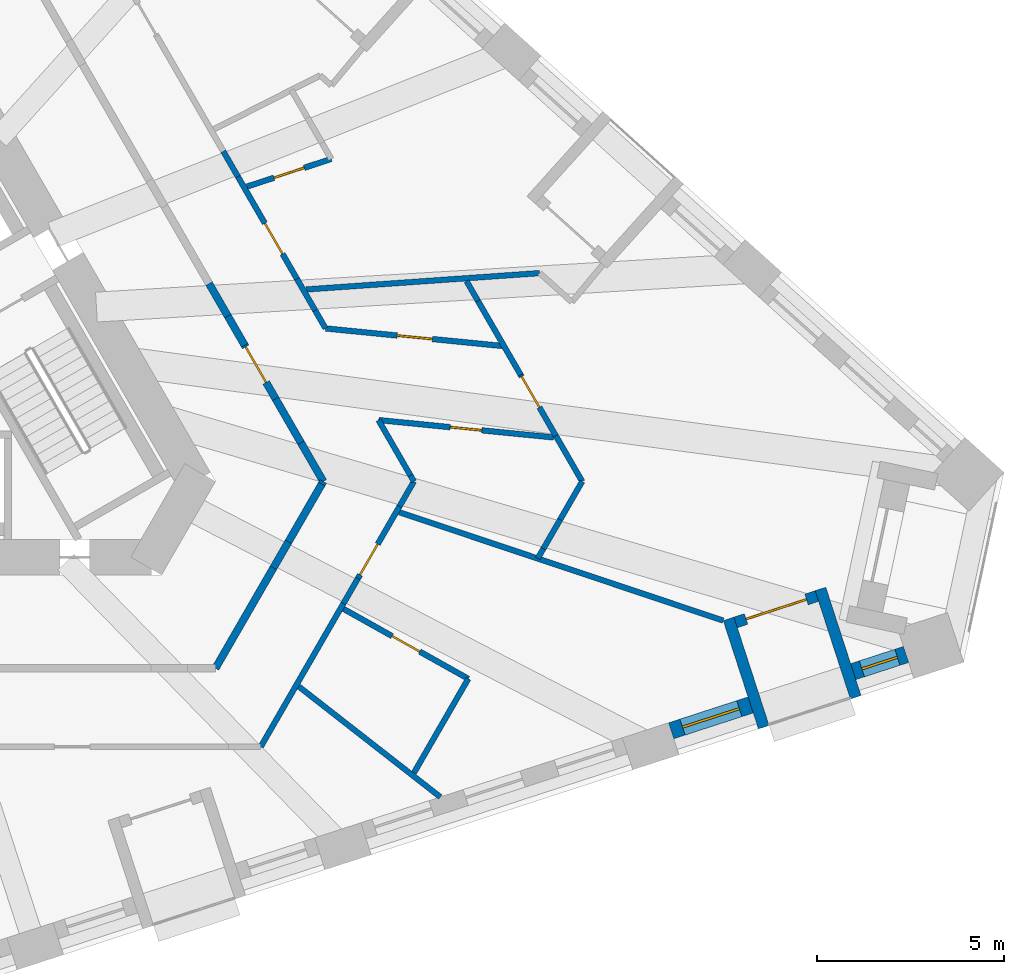
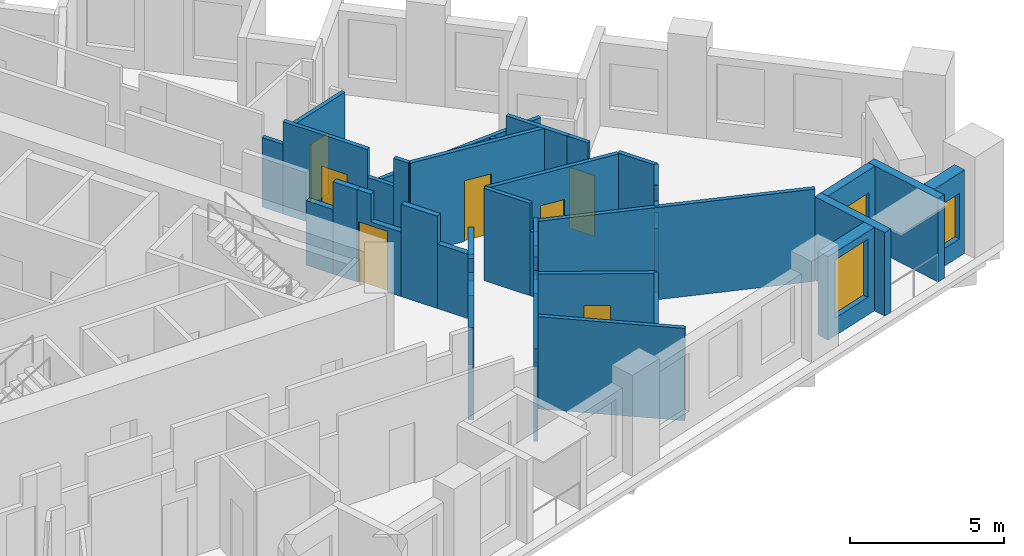
# One storey, part 6 of 13: 39 walls, 9 doors, 2 windows, 11 openings.
"""IFC4 building model written with IfcOpenShell, lengths in metres."""

from ifc_helpers import new_model, si_unit, direction, frame, frame_2d, origin, place, context, subcontext, project, spatial, polyline, rectangle, outline, extrude, material, layer, layer_set, type_object, element, fill, save


model = new_model("IFC4")

# Units and contexts
model_context = context("Model", 3, precision=1e-05, world=origin(), true_north=direction((0.0, 1.0)))
body_context = subcontext(model_context, "Body", "Model", "MODEL_VIEW")
ifc_project = project(units=[si_unit("LENGTHUNIT", "METRE"), si_unit("AREAUNIT", "SQUARE_METRE"), si_unit("VOLUMEUNIT", "CUBIC_METRE"), si_unit("PLANEANGLEUNIT", "RADIAN"), si_unit("MASSUNIT", "GRAM", prefix="KILO")], contexts=[model_context])

# Site, building, storey
site_placement = place(None, origin())
site = spatial("IfcSite", under=ifc_project, at=site_placement, CompositionType="ELEMENT")
building_placement = place(site_placement, origin())
building = spatial("IfcBuilding", under=site, at=building_placement, Name="Tramontana Tower", CompositionType="ELEMENT")
storey_placement = place(building_placement, frame((0.0, 0.0, 100.39990234375)))
storey = spatial("IfcBuildingStorey", under=building, at=storey_placement, Name="L22", CompositionType="ELEMENT", Elevation=100.39990234375)

# Walls
ifc_material_1 = material(Name="Blockwork", Category="masonry")
ifc_layer_1 = layer(ifc_material_1, 0.199951171875)
ifc_layer_set_1 = layer_set([ifc_layer_1], Name="ENTRY WALL 200")
wall_type_1 = type_object("IfcWallType", Name="ENTRY WALL 200", PredefinedType="SOLIDWALL", material=ifc_layer_set_1)
wall_1_placement = place(storey_placement, frame((10.077392578125, 1.04541015625, 0.0), z_axis=(0.0, 0.0, 1.0), x_axis=(0.500051323872, -0.865995769906, 0.0)))
element("IfcWall", 1, at=wall_1_placement, inside=storey, type_object=wall_type_1, Name="Wall v21-ew0-7", PredefinedType="SOLIDWALL", context=body_context, shape_type="SweptSolid", body=[
    extrude(rectangle(XDim=1.0068359375, YDim=0.199951171875, at=frame_2d((0.50341796875, 0.0))), origin(), (0.0, 0.0, 1.0), 2.550048828125),
])
wall_2_placement = place(storey_placement, frame((10.580810546875, 0.173583984375, 0.0), z_axis=(0.0, 0.0, 1.0), x_axis=(0.499902469156, -0.866081705922, 0.0)))
element("IfcWall", 2, at=wall_2_placement, inside=storey, type_object=wall_type_1, Name="Wall v21-ew0-8", PredefinedType="SOLIDWALL", context=body_context, shape_type="SweptSolid", body=[
    extrude(rectangle(XDim=0.900146484375, YDim=0.199951171875, at=frame_2d((0.4501953125, 0.0))), origin(), (0.0, 0.0, 1.0), 3.650146484375),
])

# Wall, opening, door
wall_3_placement = place(storey_placement, frame((11.03076171875, -0.60595703125, 0.0), z_axis=(0.0, 0.0, 1.0), x_axis=(0.49997779057, -0.866038226025, 0.0)))
wall_3 = element("IfcWall", 3, at=wall_3_placement, inside=storey, type_object=wall_type_1, Name="Wall v21-ew0-9", PredefinedType="SOLIDWALL", context=body_context, shape_type="SweptSolid", body=[
    extrude(outline(polyline([(0.0, 0.0), (1.6552734375, 0.0), (1.655517578125, 2.550048828125), (0.519287109375, 2.550048828125), (0.519287109375, 3.650146484375), (0.0, 3.650146484375), (0.0, 0.0)])), frame((0.0, 0.10009765625, 0.0), z_axis=(0.0, -1.0, 0.0), x_axis=(1.0, 0.0, 0.0)), (0.0, 0.0, 1.0), 0.199951171875),
])
opening_1_placement = place(wall_3_placement, frame((0.050048828125, 0.0, 0.0)))
opening_1 = element("IfcOpeningElement", 4, at=opening_1_placement, cuts=wall_3, Name="Opening B2B-28", PredefinedType="OPENING", context=body_context, shape_type="SweptSolid", body=[
    extrude(rectangle(XDim=1.10009765625, YDim=2.39990234375, at=frame_2d((0.550048828125, 1.199951171875))), frame((0.0, 0.10986328125, 0.0), z_axis=(0.0, -1.0, 0.0), x_axis=(1.0, 0.0, 0.0)), (0.0, 0.0, 1.0), 0.219970703125),
])
ifc_material_2 = material(Name="Painted timber", Category="wood")
door_type_1 = type_object("IfcDoorType", Name="DOOR ENTRY 1100", OperationType="SINGLE_SWING_LEFT", PredefinedType="DOOR", material=ifc_material_2)
door_1_placement = place(opening_1_placement, origin())
door_1 = element("IfcDoor", 5, at=door_1_placement, inside=storey, type_object=door_type_1, Name="Door B2B-28", OperationType="SINGLE_SWING_RIGHT", OverallHeight=2.39990234375, OverallWidth=1.10009765625, PredefinedType="DOOR", context=body_context, shape_type="SweptSolid", body=[
    extrude(rectangle(XDim=1.10009765625, YDim=2.39990234375, at=frame_2d((0.550048828125, 1.199951171875))), frame((0.0, 0.02490234375, 0.0), z_axis=(0.0, -1.0, 0.0), x_axis=(1.0, 0.0, 0.0)), (0.0, 0.0, 1.0), 0.050048828125),
])
fill(opening_1, door_1)

# Walls
wall_4_placement = place(storey_placement, frame((11.8583984375, -2.03955078125, 0.0), z_axis=(0.0, 0.0, 1.0), x_axis=(0.500038357328, -0.866003257038, 0.0)))
element("IfcWall", 6, at=wall_4_placement, inside=storey, type_object=wall_type_1, Name="Wall v21-ew0-10", PredefinedType="SOLIDWALL", context=body_context, shape_type="SweptSolid", body=[
    extrude(rectangle(XDim=1.3603515625, YDim=0.199951171875, at=frame_2d((0.68017578125, 0.0))), origin(), (0.0, 0.0, 1.0), 3.650146484375),
])
wall_5_placement = place(storey_placement, frame((12.53857421875, -3.217529296875, 0.0), z_axis=(0.0, 0.0, 1.0), x_axis=(0.500059236744, -0.865991200733, 0.0)))
element("IfcWall", 7, at=wall_5_placement, inside=storey, type_object=wall_type_1, Name="Wall v21-ew0-11", PredefinedType="SOLIDWALL", context=body_context, shape_type="SweptSolid", body=[
    extrude(rectangle(XDim=1.192138671875, YDim=0.199951171875, at=frame_2d((0.59619140625, 0.0))), origin(), (0.0, 0.0, 1.0), 2.550048828125),
])
wall_6_placement = place(storey_placement, frame((13.134765625, -4.25, 0.0), z_axis=(0.0, 0.0, 1.0), x_axis=(-0.501397775159, -0.865216892499, 0.0)))
element("IfcWall", 8, at=wall_6_placement, inside=storey, type_object=wall_type_1, Name="Wall v21-ew1-0", PredefinedType="SOLIDWALL", context=body_context, shape_type="SweptSolid", body=[
    extrude(rectangle(XDim=0.079833984375, YDim=0.199951171875, at=frame_2d((0.0400390625, 0.0))), origin(), (0.0, 0.0, 1.0), 2.550048828125),
])
wall_7_placement = place(storey_placement, frame((13.0947265625, -4.319091796875, 0.0), z_axis=(0.0, 0.0, 1.0), x_axis=(-0.499986405537, -0.866033252409, 0.0)))
element("IfcWall", 9, at=wall_7_placement, inside=storey, type_object=wall_type_1, Name="Wall v21-ew1-1", PredefinedType="SOLIDWALL", context=body_context, shape_type="SweptSolid", body=[
    extrude(rectangle(XDim=1.7880859375, YDim=0.199951171875, at=frame_2d((0.89404296875, 0.0))), origin(), (0.0, 0.0, 1.0), 3.650146484375),
])
wall_8_placement = place(storey_placement, frame((12.20068359375, -5.86767578125, 0.0), z_axis=(0.0, 0.0, 1.0), x_axis=(-0.499942357345, -0.866058681229, 0.0)))
element("IfcWall", 10, at=wall_8_placement, inside=storey, type_object=wall_type_1, Name="Wall v21-ew1-2", PredefinedType="SOLIDWALL", context=body_context, shape_type="SweptSolid", body=[
    extrude(rectangle(XDim=0.80078125, YDim=0.199951171875, at=frame_2d((0.400390625, 0.0))), origin(), (0.0, 0.0, 1.0), 2.75),
])
wall_9_placement = place(storey_placement, frame((11.80029296875, -6.561279296875, 0.0), z_axis=(0.0, 0.0, 1.0), x_axis=(-0.499978855264, -0.866037611359, 0.0)))
element("IfcWall", 11, at=wall_9_placement, inside=storey, type_object=wall_type_1, Name="Wall v21-ew1-3", PredefinedType="SOLIDWALL", context=body_context, shape_type="SweptSolid", body=[
    extrude(rectangle(XDim=3.104736328125, YDim=0.199951171875, at=frame_2d((1.55224609375, 0.0))), origin(), (0.0, 0.0, 1.0), 3.650146484375),
])

# Wall, opening, window
ifc_material_3 = material(Name="Precast concrete 60 MPa", Category="concrete")
ifc_layer_2 = layer(ifc_material_3, 0.449951171875)
ifc_layer_set_2 = layer_set([ifc_layer_2], Name="Precast concrete 60 MPa, 450 mm")
wall_type_2 = type_object("IfcWallType", Name="EW1 Stone-faced precast wall 450", PredefinedType="SOLIDWALL", material=ifc_layer_set_2)
wall_10_placement = place(storey_placement, frame((22.444580078125, -10.923828125, 0.0), z_axis=(0.0, 0.0, 1.0), x_axis=(0.951067749801, 0.30898241906, 0.0)))
wall_10 = element("IfcWall", 12, at=wall_10_placement, inside=storey, type_object=wall_type_2, Name="External wall L22 face 1 bay 6", PredefinedType="SOLIDWALL", context=body_context, shape_type="SweptSolid", body=[
    extrude(rectangle(XDim=2.23681640625, YDim=0.449951171875, at=frame_2d((1.118408203125, 0.0))), origin(), (0.0, 0.0, 1.0), 3.300048828125),
])
opening_2_placement = place(wall_10_placement, frame((0.318359375, 0.0, 0.699951171875)))
opening_2 = element("IfcOpeningElement", 13, at=opening_2_placement, cuts=wall_10, Name="Opening M1", PredefinedType="OPENING", context=body_context, shape_type="SweptSolid", body=[
    extrude(rectangle(XDim=1.60009765625, YDim=2.300048828125, at=frame_2d((0.800048828125, 1.14990234375))), frame((0.0, 0.23486328125, 0.0), z_axis=(0.0, -1.0, 0.0), x_axis=(1.0, 0.0, 0.0)), (0.0, 0.0, 1.0), 0.469970703125),
])
ifc_material_4 = material(Name="Aluminum frame, double glazing unit", Category="aluminium")
window_type_1 = type_object("IfcWindowType", Name="M1 Window 1.6 x 2.3", PartitioningType="SINGLE_PANEL", PredefinedType="WINDOW", material=ifc_material_4)
window_1_placement = place(opening_2_placement, origin())
window_1 = element("IfcWindow", 14, at=window_1_placement, inside=storey, type_object=window_type_1, Name="Window M1 L22 face 1 module 16", OverallHeight=2.300048828125, OverallWidth=1.60009765625, PartitioningType="SINGLE_PANEL", PredefinedType="WINDOW", context=body_context, shape_type="SweptSolid", body=[
    extrude(rectangle(XDim=1.60009765625, YDim=2.300048828125, at=frame_2d((0.800048828125, 1.14990234375))), frame((0.0, 0.030029296875, 0.0), z_axis=(0.0, -1.0, 0.0), x_axis=(1.0, 0.0, 0.0)), (0.0, 0.0, 1.0), 0.06005859375),
])
fill(opening_2, window_1)

wall_11_placement = place(storey_placement, frame((27.3173828125, -9.340576171875, 0.0), z_axis=(0.0, 0.0, 1.0), x_axis=(0.951053373744, 0.309026665985, 0.0)))
wall_11 = element("IfcWall", 15, at=wall_11_placement, inside=storey, type_object=wall_type_2, Name="External wall L22 face 1 bay 6", PredefinedType="SOLIDWALL", context=body_context, shape_type="SweptSolid", body=[
    extrude(rectangle(XDim=1.48681640625, YDim=0.449951171875, at=frame_2d((0.743408203125, 0.0))), origin(), (0.0, 0.0, 1.0), 3.300048828125),
])
opening_3_placement = place(wall_11_placement, frame((0.243408203125, 0.0, 0.699951171875)))
opening_3 = element("IfcOpeningElement", 16, at=opening_3_placement, cuts=wall_11, Name="Opening N1L", PredefinedType="OPENING", context=body_context, shape_type="SweptSolid", body=[
    extrude(rectangle(XDim=1.0, YDim=1.800048828125, at=frame_2d((0.5, 0.89990234375))), frame((0.0, 0.23486328125, 0.0), z_axis=(0.0, -1.0, 0.0), x_axis=(1.0, 0.0, 0.0)), (0.0, 0.0, 1.0), 0.469970703125),
])
ifc_material_5 = material(Name="Aluminum frame, double glazing unit", Category="aluminium")
window_type_2 = type_object("IfcWindowType", Name="N1L Window 1 x 1.8", PartitioningType="SINGLE_PANEL", PredefinedType="WINDOW", material=ifc_material_5)
window_2_placement = place(opening_3_placement, origin())
window_2 = element("IfcWindow", 17, at=window_2_placement, inside=storey, type_object=window_type_2, Name="Window N1L L22 face 1 module 18", OverallHeight=1.800048828125, OverallWidth=1.0, PartitioningType="SINGLE_PANEL", PredefinedType="WINDOW", context=body_context, shape_type="SweptSolid", body=[
    extrude(rectangle(XDim=1.0, YDim=1.800048828125, at=frame_2d((0.5, 0.89990234375))), frame((0.0, 0.030029296875, 0.0), z_axis=(0.0, -1.0, 0.0), x_axis=(1.0, 0.0, 0.0)), (0.0, 0.0, 1.0), 0.06005859375),
])
fill(opening_3, window_2)

# Wall, opening, door
ifc_material_6 = material(Name="Precast concrete 60 MPa", Category="concrete")
ifc_layer_3 = layer(ifc_material_6, 0.300048828125)
ifc_layer_set_3 = layer_set([ifc_layer_3], Name="LW1 Stone-faced loggia wall 300")
wall_type_3 = type_object("IfcWallType", Name="LW1 Stone-faced loggia wall 300", PredefinedType="SOLIDWALL", material=ifc_layer_set_3)
wall_12_placement = place(storey_placement, frame((24.169677734375, -8.02392578125, 0.0), z_axis=(0.0, 0.0, 1.0), x_axis=(0.95103720697, 0.309076416051, 0.0)))
wall_12 = element("IfcWall", 18, at=wall_12_placement, inside=storey, type_object=wall_type_3, Name="Loggia wall L22 G2S1.16", PredefinedType="SOLIDWALL", context=body_context, shape_type="SweptSolid", body=[
    extrude(rectangle(XDim=2.286865234375, YDim=0.300048828125, at=frame_2d((1.1435546875, 0.0))), origin(), (0.0, 0.0, 1.0), 3.300048828125),
])
opening_4_placement = place(wall_12_placement, frame((0.29345703125, 0.0, 0.0)))
opening_4 = element("IfcOpeningElement", 19, at=opening_4_placement, cuts=wall_12, Name="Opening BD-2S1-16", PredefinedType="OPENING", context=body_context, shape_type="SweptSolid", body=[
    extrude(rectangle(XDim=1.699951171875, YDim=2.39990234375, at=frame_2d((0.85009765625, 1.199951171875))), frame((0.0, 0.159912109375, 0.0), z_axis=(0.0, -1.0, 0.0), x_axis=(1.0, 0.0, 0.0)), (0.0, 0.0, 1.0), 0.320068359375),
])
ifc_material_7 = material(Name="Aluminum frame, double glazing unit", Category="aluminium")
door_type_2 = type_object("IfcDoorType", Name="BD1 Sliding door 1.7 x 2.4", OperationType="SLIDING_TO_LEFT", PredefinedType="DOOR", material=ifc_material_7)
door_2_placement = place(opening_4_placement, origin())
door_2 = element("IfcDoor", 20, at=door_2_placement, inside=storey, type_object=door_type_2, Name="Loggia door L22 G2S1.16", OperationType="SLIDING_TO_LEFT", OverallHeight=2.39990234375, OverallWidth=1.699951171875, PredefinedType="DOOR", context=body_context, shape_type="SweptSolid", body=[
    extrude(rectangle(XDim=1.699951171875, YDim=2.39990234375, at=frame_2d((0.85009765625, 1.199951171875))), frame((0.0, 0.02490234375, 0.0), z_axis=(0.0, -1.0, 0.0), x_axis=(1.0, 0.0, 0.0)), (0.0, 0.0, 1.0), 0.050048828125),
])
fill(opening_4, door_2)

# Walls
wall_13_placement = place(storey_placement, frame((24.923095703125, -10.828369140625, 0.0), z_axis=(0.0, 0.0, 1.0), x_axis=(-0.308966615996, 0.951072883748, 0.0)))
element("IfcWall", 21, at=wall_13_placement, inside=storey, type_object=wall_type_3, Name="Loggia return L22 G2S1.16a", PredefinedType="SOLIDWALL", context=body_context, shape_type="SweptSolid", body=[
    extrude(rectangle(XDim=3.050048828125, YDim=0.300048828125, at=frame_2d((1.52490234375, 0.0))), origin(), (0.0, 0.0, 1.0), 3.300048828125),
])
wall_14_placement = place(storey_placement, frame((27.38330078125, -10.02880859375, 0.0), z_axis=(0.0, 0.0, 1.0), x_axis=(-0.308990138358, 0.951065241925, 0.0)))
element("IfcWall", 22, at=wall_14_placement, inside=storey, type_object=wall_type_3, Name="Loggia return L22 G2S1.16b", PredefinedType="SOLIDWALL", context=body_context, shape_type="SweptSolid", body=[
    extrude(rectangle(XDim=3.0498046875, YDim=0.300048828125, at=frame_2d((1.52490234375, 0.0))), origin(), (0.0, 0.0, 1.0), 3.300048828125),
])
ifc_material_8 = material(Name="Gypsum board partition")
ifc_layer_4 = layer(ifc_material_8, 0.14990234375)
ifc_layer_set_4 = layer_set([ifc_layer_4], Name="PARTITION 150")
wall_type_4 = type_object("IfcWallType", Name="PARTITION 150", PredefinedType="PARTITIONING", material=ifc_layer_set_4)
wall_15_placement = place(storey_placement, frame((10.4580078125, 4.58642578125, 0.0), z_axis=(0.0, 0.0, 1.0), x_axis=(0.49979442921, -0.866144057608, 0.0)))
element("IfcWall", 23, at=wall_15_placement, inside=storey, type_object=wall_type_4, Name="Wall v21-pw40-4", PredefinedType="PARTITIONING", context=body_context, shape_type="SweptSolid", body=[
    extrude(rectangle(XDim=0.782958984375, YDim=0.14990234375, at=frame_2d((0.3916015625, 0.0))), origin(), (0.0, 0.0, 1.0), 2.75),
])

# Wall, opening, door
wall_16_placement = place(storey_placement, frame((10.849365234375, 3.908203125, 0.0), z_axis=(0.0, 0.0, 1.0), x_axis=(0.500027861653, -0.866009317254, 0.0)))
wall_16 = element("IfcWall", 24, at=wall_16_placement, inside=storey, type_object=wall_type_4, Name="Wall v21-pw40-5", PredefinedType="PARTITIONING", context=body_context, shape_type="SweptSolid", body=[
    extrude(rectangle(XDim=3.159912109375, YDim=0.14990234375, at=frame_2d((1.580078125, 0.0))), origin(), (0.0, 0.0, 1.0), 3.650146484375),
])
opening_5_placement = place(wall_16_placement, frame((1.440673828125, 0.0, 0.0)))
opening_5 = element("IfcOpeningElement", 25, at=opening_5_placement, cuts=wall_16, Name="Opening B2B-22", PredefinedType="OPENING", context=body_context, shape_type="SweptSolid", body=[
    extrude(rectangle(XDim=0.949951171875, YDim=2.39990234375, at=frame_2d((0.47509765625, 1.199951171875))), frame((0.0, 0.0849609375, 0.0), z_axis=(0.0, -1.0, 0.0), x_axis=(1.0, 0.0, 0.0)), (0.0, 0.0, 1.0), 0.169921875),
])
ifc_material_9 = material(Name="Painted timber", Category="wood")
door_type_3 = type_object("IfcDoorType", Name="DOOR ROOM 950", OperationType="SINGLE_SWING_LEFT", PredefinedType="DOOR", material=ifc_material_9)
door_3_placement = place(opening_5_placement, origin())
door_3 = element("IfcDoor", 26, at=door_3_placement, inside=storey, type_object=door_type_3, Name="Door B2B-22", OperationType="SINGLE_SWING_RIGHT", OverallHeight=2.39990234375, OverallWidth=0.949951171875, PredefinedType="DOOR", context=body_context, shape_type="SweptSolid", body=[
    extrude(rectangle(XDim=0.949951171875, YDim=2.39990234375, at=frame_2d((0.47509765625, 1.199951171875))), frame((0.0, 0.02490234375, 0.0), z_axis=(0.0, -1.0, 0.0), x_axis=(1.0, 0.0, 0.0)), (0.0, 0.0, 1.0), 0.050048828125),
])
fill(opening_5, door_3)

# Walls
wall_17_placement = place(storey_placement, frame((12.429443359375, 1.171630859375, 0.0), z_axis=(0.0, 0.0, 1.0), x_axis=(0.499895202697, -0.866085900082, 0.0)))
element("IfcWall", 27, at=wall_17_placement, inside=storey, type_object=wall_type_4, Name="Wall v21-pw40-6", PredefinedType="PARTITIONING", context=body_context, shape_type="SweptSolid", body=[
    extrude(rectangle(XDim=0.978759765625, YDim=0.14990234375, at=frame_2d((0.4892578125, 0.0))), origin(), (0.0, 0.0, 1.0), 2.550048828125),
])
wall_18_placement = place(storey_placement, frame((12.918701171875, 0.323974609375, 0.0), z_axis=(0.0, 0.0, 1.0), x_axis=(0.499990325971, -0.866030989016, 0.0)))
element("IfcWall", 28, at=wall_18_placement, inside=storey, type_object=wall_type_4, Name="Wall v21-pw40-7", PredefinedType="PARTITIONING", context=body_context, shape_type="SweptSolid", body=[
    extrude(rectangle(XDim=0.55224609375, YDim=0.14990234375, at=frame_2d((0.276123046875, 0.0))), origin(), (0.0, 0.0, 1.0), 3.650146484375),
])
wall_19_placement = place(storey_placement, frame((12.6796875, 0.88818359375, 0.0), z_axis=(0.0, 0.0, 1.0), x_axis=(0.997556875713, 0.069858998838, 0.0)))
element("IfcWall", 29, at=wall_19_placement, inside=storey, type_object=wall_type_4, Name="Wall v21-pw46-0", PredefinedType="PARTITIONING", context=body_context, shape_type="SweptSolid", body=[
    extrude(rectangle(XDim=6.2626953125, YDim=0.14990234375, at=frame_2d((3.13134765625, 0.0))), origin(), (0.0, 0.0, 1.0), 2.550048828125),
])

# Wall, opening, door
wall_20_placement = place(storey_placement, frame((13.1962890625, -0.1552734375, 0.0), z_axis=(0.0, 0.0, 1.0), x_axis=(0.995106998525, -0.098803145129, 0.0)))
wall_20 = element("IfcWall", 30, at=wall_20_placement, inside=storey, type_object=wall_type_4, Name="Wall v21-pw48", PredefinedType="PARTITIONING", context=body_context, shape_type="SweptSolid", body=[
    extrude(rectangle(XDim=4.796142578125, YDim=0.14990234375, at=frame_2d((2.39794921875, 0.0))), origin(), (0.0, 0.0, 1.0), 3.650146484375),
])
opening_6_placement = place(wall_20_placement, frame((1.923095703125, 0.0, 0.0)))
opening_6 = element("IfcOpeningElement", 31, at=opening_6_placement, cuts=wall_20, Name="Opening B2B-17", PredefinedType="OPENING", context=body_context, shape_type="SweptSolid", body=[
    extrude(rectangle(XDim=0.949951171875, YDim=2.39990234375, at=frame_2d((0.47509765625, 1.199951171875))), frame((0.0, 0.0849609375, 0.0), z_axis=(0.0, -1.0, 0.0), x_axis=(1.0, 0.0, 0.0)), (0.0, 0.0, 1.0), 0.169921875),
])
door_4_placement = place(opening_6_placement, origin())
door_4 = element("IfcDoor", 32, at=door_4_placement, inside=storey, type_object=door_type_3, Name="Door B2B-17", OperationType="SINGLE_SWING_LEFT", OverallHeight=2.39990234375, OverallWidth=0.949951171875, PredefinedType="DOOR", context=body_context, shape_type="SweptSolid", body=[
    extrude(rectangle(XDim=0.949951171875, YDim=2.39990234375, at=frame_2d((0.47509765625, 1.199951171875))), frame((0.0, 0.02490234375, 0.0), z_axis=(0.0, -1.0, 0.0), x_axis=(1.0, 0.0, 0.0)), (0.0, 0.0, 1.0), 0.050048828125),
])
fill(opening_6, door_4)

wall_21_placement = place(storey_placement, frame((11.0908203125, 3.64013671875, 0.0), z_axis=(0.0, 0.0, 1.0), x_axis=(0.950142716329, 0.311815359799, 0.0)))
wall_21 = element("IfcWall", 33, at=wall_21_placement, inside=storey, type_object=wall_type_4, Name="Wall v21-pw49", PredefinedType="PARTITIONING", context=body_context, shape_type="SweptSolid", body=[
    extrude(rectangle(XDim=2.37548828125, YDim=0.14990234375, at=frame_2d((1.187744140625, 0.0))), origin(), (0.0, 0.0, 1.0), 3.650146484375),
])
opening_7_placement = place(wall_21_placement, frame((0.7626953125, 0.0, 0.0)))
opening_7 = element("IfcOpeningElement", 34, at=opening_7_placement, cuts=wall_21, Name="Opening B2B-25", PredefinedType="OPENING", context=body_context, shape_type="SweptSolid", body=[
    extrude(rectangle(XDim=0.85009765625, YDim=2.39990234375, at=frame_2d((0.425048828125, 1.199951171875))), frame((0.0, 0.0849609375, 0.0), z_axis=(0.0, -1.0, 0.0), x_axis=(1.0, 0.0, 0.0)), (0.0, 0.0, 1.0), 0.169921875),
])
ifc_material_10 = material(Name="Painted timber", Category="wood")
door_type_4 = type_object("IfcDoorType", Name="DOOR BATH 850", OperationType="SINGLE_SWING_LEFT", PredefinedType="DOOR", material=ifc_material_10)
door_5_placement = place(opening_7_placement, origin())
door_5 = element("IfcDoor", 35, at=door_5_placement, inside=storey, type_object=door_type_4, Name="Door B2B-25", OperationType="SINGLE_SWING_LEFT", OverallHeight=2.39990234375, OverallWidth=0.85009765625, PredefinedType="DOOR", context=body_context, shape_type="SweptSolid", body=[
    extrude(rectangle(XDim=0.85009765625, YDim=2.39990234375, at=frame_2d((0.425048828125, 1.199951171875))), frame((0.0, 0.02490234375, 0.0), z_axis=(0.0, -1.0, 0.0), x_axis=(1.0, 0.0, 0.0)), (0.0, 0.0, 1.0), 0.050048828125),
])
fill(opening_7, door_5)

wall_22_placement = place(storey_placement, frame((17.01416015625, -9.53076171875, 0.0), z_axis=(0.0, 0.0, 1.0), x_axis=(-0.872429824654, 0.488739399941, 0.0)))
wall_22 = element("IfcWall", 36, at=wall_22_placement, inside=storey, type_object=wall_type_4, Name="Wall v21-pw51", PredefinedType="PARTITIONING", context=body_context, shape_type="SweptSolid", body=[
    extrude(rectangle(XDim=3.825439453125, YDim=0.14990234375, at=frame_2d((1.91259765625, 0.0))), origin(), (0.0, 0.0, 1.0), 3.650146484375),
])
opening_8_placement = place(wall_22_placement, frame((1.487548828125, 0.0, 0.0)))
opening_8 = element("IfcOpeningElement", 37, at=opening_8_placement, cuts=wall_22, Name="Opening B2B-24", PredefinedType="OPENING", context=body_context, shape_type="SweptSolid", body=[
    extrude(rectangle(XDim=0.85009765625, YDim=2.39990234375, at=frame_2d((0.425048828125, 1.199951171875))), frame((0.0, 0.0849609375, 0.0), z_axis=(0.0, -1.0, 0.0), x_axis=(1.0, 0.0, 0.0)), (0.0, 0.0, 1.0), 0.169921875),
])
door_6_placement = place(opening_8_placement, origin())
door_6 = element("IfcDoor", 38, at=door_6_placement, inside=storey, type_object=door_type_4, Name="Door B2B-24", OperationType="SINGLE_SWING_RIGHT", OverallHeight=2.39990234375, OverallWidth=0.85009765625, PredefinedType="DOOR", context=body_context, shape_type="SweptSolid", body=[
    extrude(rectangle(XDim=0.85009765625, YDim=2.39990234375, at=frame_2d((0.425048828125, 1.199951171875))), frame((0.0, 0.02490234375, 0.0), z_axis=(0.0, -1.0, 0.0), x_axis=(1.0, 0.0, 0.0)), (0.0, 0.0, 1.0), 0.050048828125),
])
fill(opening_8, door_6)

# Walls
wall_23_placement = place(storey_placement, frame((14.613037109375, -2.6103515625, 0.0), z_axis=(0.0, 0.0, 1.0), x_axis=(0.499899519003, -0.866083408743, 0.0)))
element("IfcWall", 39, at=wall_23_placement, inside=storey, type_object=wall_type_4, Name="Wall v21-pw52-0", PredefinedType="PARTITIONING", context=body_context, shape_type="SweptSolid", body=[
    extrude(rectangle(XDim=1.710693359375, YDim=0.14990234375, at=frame_2d((0.85546875, 0.0))), origin(), (0.0, 0.0, 1.0), 3.650146484375),
])
wall_24_placement = place(storey_placement, frame((15.46826171875, -4.092041015625, 0.0), z_axis=(0.0, 0.0, 1.0), x_axis=(0.50045593687, -0.865762008436, 0.0)))
element("IfcWall", 40, at=wall_24_placement, inside=storey, type_object=wall_type_4, Name="Wall v21-pw52-1", PredefinedType="PARTITIONING", context=body_context, shape_type="SweptSolid", body=[
    extrude(rectangle(XDim=0.182373046875, YDim=0.14990234375, at=frame_2d((0.09130859375, 0.0))), origin(), (0.0, 0.0, 1.0), 2.550048828125),
])
wall_25_placement = place(storey_placement, frame((15.5595703125, -4.25, 0.0), z_axis=(0.0, 0.0, 1.0), x_axis=(-0.500124558158, -0.865953478154, 0.0)))
element("IfcWall", 41, at=wall_25_placement, inside=storey, type_object=wall_type_4, Name="Wall v21-pw53-0", PredefinedType="PARTITIONING", context=body_context, shape_type="SweptSolid", body=[
    extrude(rectangle(XDim=0.770751953125, YDim=0.14990234375, at=frame_2d((0.38525390625, 0.0))), origin(), (0.0, 0.0, 1.0), 2.550048828125),
])

# Wall, opening, door
wall_26_placement = place(storey_placement, frame((15.174072265625, -4.91748046875, 0.0), z_axis=(0.0, 0.0, 1.0), x_axis=(-0.49993766618, -0.866061389241, 0.0)))
wall_26 = element("IfcWall", 42, at=wall_26_placement, inside=storey, type_object=wall_type_4, Name="Wall v21-pw53-1", PredefinedType="PARTITIONING", context=body_context, shape_type="SweptSolid", body=[
    extrude(rectangle(XDim=2.225830078125, YDim=0.14990234375, at=frame_2d((1.11279296875, 0.0))), origin(), (0.0, 0.0, 1.0), 3.650146484375),
])
opening_9_placement = place(wall_26_placement, frame((1.16455078125, 0.0, 0.0)))
opening_9 = element("IfcOpeningElement", 43, at=opening_9_placement, cuts=wall_26, Name="Opening B2B-20", PredefinedType="OPENING", context=body_context, shape_type="SweptSolid", body=[
    extrude(rectangle(XDim=0.949951171875, YDim=2.39990234375, at=frame_2d((0.47509765625, 1.199951171875))), frame((0.0, 0.0849609375, 0.0), z_axis=(0.0, -1.0, 0.0), x_axis=(1.0, 0.0, 0.0)), (0.0, 0.0, 1.0), 0.169921875),
])
door_7_placement = place(opening_9_placement, origin())
door_7 = element("IfcDoor", 44, at=door_7_placement, inside=storey, type_object=door_type_3, Name="Door B2B-20", OperationType="SINGLE_SWING_RIGHT", OverallHeight=2.39990234375, OverallWidth=0.949951171875, PredefinedType="DOOR", context=body_context, shape_type="SweptSolid", body=[
    extrude(rectangle(XDim=0.949951171875, YDim=2.39990234375, at=frame_2d((0.47509765625, 1.199951171875))), frame((0.0, 0.02490234375, 0.0), z_axis=(0.0, -1.0, 0.0), x_axis=(1.0, 0.0, 0.0)), (0.0, 0.0, 1.0), 0.050048828125),
])
fill(opening_9, door_7)

# Walls
wall_27_placement = place(storey_placement, frame((14.061279296875, -6.84521484375, 0.0), z_axis=(0.0, 0.0, 1.0), x_axis=(-0.500031167255, -0.866007408613, 0.0)))
element("IfcWall", 45, at=wall_27_placement, inside=storey, type_object=wall_type_4, Name="Wall v21-pw53-2", PredefinedType="PARTITIONING", context=body_context, shape_type="SweptSolid", body=[
    extrude(rectangle(XDim=0.77587890625, YDim=0.14990234375, at=frame_2d((0.387939453125, 0.0))), origin(), (0.0, 0.0, 1.0), 2.75),
])
wall_28_placement = place(storey_placement, frame((13.67333984375, -7.51708984375, 0.0), z_axis=(0.0, 0.0, 1.0), x_axis=(-0.500007369519, -0.866021148949, 0.0)))
element("IfcWall", 46, at=wall_28_placement, inside=storey, type_object=wall_type_4, Name="Wall v21-pw53-3", PredefinedType="PARTITIONING", context=body_context, shape_type="SweptSolid", body=[
    extrude(rectangle(XDim=4.42578125, YDim=0.14990234375, at=frame_2d((2.212890625, 0.0))), origin(), (0.0, 0.0, 1.0), 3.650146484375),
])
wall_29_placement = place(storey_placement, frame((16.26611328125, -12.69482421875, 0.0), z_axis=(0.0, 0.0, 1.0), x_axis=(-0.788330807592, 0.615251605281, 0.0)))
element("IfcWall", 47, at=wall_29_placement, inside=storey, type_object=wall_type_4, Name="Wall v21-pw54", PredefinedType="PARTITIONING", context=body_context, shape_type="SweptSolid", body=[
    extrude(rectangle(XDim=4.805908203125, YDim=0.14990234375, at=frame_2d((2.40283203125, 0.0))), origin(), (0.0, 0.0, 1.0), 3.650146484375),
])
wall_30_placement = place(storey_placement, frame((16.966552734375, 1.11328125, 0.0), z_axis=(0.0, 0.0, 1.0), x_axis=(0.4998141712, -0.866132665513, 0.0)))
element("IfcWall", 48, at=wall_30_placement, inside=storey, type_object=wall_type_4, Name="Wall v21-pw55-0", PredefinedType="PARTITIONING", context=body_context, shape_type="SweptSolid", body=[
    extrude(rectangle(XDim=0.614501953125, YDim=0.14990234375, at=frame_2d((0.30712890625, 0.0))), origin(), (0.0, 0.0, 1.0), 2.550048828125),
])
wall_31_placement = place(storey_placement, frame((17.273681640625, 0.5810546875, 0.0), z_axis=(0.0, 0.0, 1.0), x_axis=(0.500030411023, -0.86600784526, 0.0)))
element("IfcWall", 49, at=wall_31_placement, inside=storey, type_object=wall_type_4, Name="Wall v21-pw55-1", PredefinedType="PARTITIONING", context=body_context, shape_type="SweptSolid", body=[
    extrude(rectangle(XDim=2.287353515625, YDim=0.14990234375, at=frame_2d((1.1435546875, 0.0))), origin(), (0.0, 0.0, 1.0), 3.650146484375),
])

# Wall, opening, door
wall_32_placement = place(storey_placement, frame((18.41748046875, -1.39990234375, 0.0), z_axis=(0.0, 0.0, 1.0), x_axis=(0.499962016178, -0.866047332643, 0.0)))
wall_32 = element("IfcWall", 50, at=wall_32_placement, inside=storey, type_object=wall_type_4, Name="Wall v21-pw55-2", PredefinedType="PARTITIONING", context=body_context, shape_type="SweptSolid", body=[
    extrude(outline(polyline([(0.0, 0.0), (1.882080078125, 0.0), (1.8818359375, 2.550048828125), (0.777099609375, 2.550048828125), (0.777099609375, 3.650146484375), (0.0, 3.650146484375), (0.0, 0.0)])), frame((0.0, 0.074951171875, 0.0), z_axis=(0.0, -1.0, 0.0), x_axis=(1.0, 0.0, 0.0)), (0.0, 0.0, 1.0), 0.14990234375),
])
opening_10_placement = place(wall_32_placement, frame((0.050048828125, 0.0, 0.0)))
opening_10 = element("IfcOpeningElement", 51, at=opening_10_placement, cuts=wall_32, Name="Opening B2B-19", PredefinedType="OPENING", context=body_context, shape_type="SweptSolid", body=[
    extrude(rectangle(XDim=0.949951171875, YDim=2.39990234375, at=frame_2d((0.47509765625, 1.199951171875))), frame((0.0, 0.0849609375, 0.0), z_axis=(0.0, -1.0, 0.0), x_axis=(1.0, 0.0, 0.0)), (0.0, 0.0, 1.0), 0.169921875),
])
door_8_placement = place(opening_10_placement, origin())
door_8 = element("IfcDoor", 52, at=door_8_placement, inside=storey, type_object=door_type_3, Name="Door B2B-19", OperationType="SINGLE_SWING_LEFT", OverallHeight=2.39990234375, OverallWidth=0.949951171875, PredefinedType="DOOR", context=body_context, shape_type="SweptSolid", body=[
    extrude(rectangle(XDim=0.949951171875, YDim=2.39990234375, at=frame_2d((0.47509765625, 1.199951171875))), frame((0.0, 0.02490234375, 0.0), z_axis=(0.0, -1.0, 0.0), x_axis=(1.0, 0.0, 0.0)), (0.0, 0.0, 1.0), 0.050048828125),
])
fill(opening_10, door_8)

# Walls
wall_33_placement = place(storey_placement, frame((19.3583984375, -3.02978515625, 0.0), z_axis=(0.0, 0.0, 1.0), x_axis=(0.500052415518, -0.865995139556, 0.0)))
element("IfcWall", 53, at=wall_33_placement, inside=storey, type_object=wall_type_4, Name="Wall v21-pw55-3", PredefinedType="PARTITIONING", context=body_context, shape_type="SweptSolid", body=[
    extrude(rectangle(XDim=1.408935546875, YDim=0.14990234375, at=frame_2d((0.70458984375, 0.0))), origin(), (0.0, 0.0, 1.0), 3.650146484375),
])
wall_34_placement = place(storey_placement, frame((17.01416015625, -9.53076171875, 0.0), z_axis=(0.0, 0.0, 1.0), x_axis=(-0.500013181875, -0.866017793092, 0.0)))
element("IfcWall", 54, at=wall_34_placement, inside=storey, type_object=wall_type_4, Name="Wall v21-pw56", PredefinedType="PARTITIONING", context=body_context, shape_type="SweptSolid", body=[
    extrude(rectangle(XDim=2.90771484375, YDim=0.14990234375, at=frame_2d((1.453857421875, 0.0))), origin(), (0.0, 0.0, 1.0), 3.650146484375),
])

# Wall, opening, door
wall_35_placement = place(storey_placement, frame((19.29638671875, -3.072509765625, 0.0), z_axis=(0.0, 0.0, 1.0), x_axis=(-0.99510121035, 0.098861424027, 0.0)))
wall_35 = element("IfcWall", 55, at=wall_35_placement, inside=storey, type_object=wall_type_4, Name="Wall v21-pw58", PredefinedType="PARTITIONING", context=body_context, shape_type="SweptSolid", body=[
    extrude(rectangle(XDim=4.704345703125, YDim=0.14990234375, at=frame_2d((2.35205078125, 0.0))), origin(), (0.0, 0.0, 1.0), 3.650146484375),
])
opening_11_placement = place(wall_35_placement, frame((1.92724609375, 0.0, 0.0)))
opening_11 = element("IfcOpeningElement", 56, at=opening_11_placement, cuts=wall_35, Name="Opening B2B-18", PredefinedType="OPENING", context=body_context, shape_type="SweptSolid", body=[
    extrude(rectangle(XDim=0.85009765625, YDim=2.39990234375, at=frame_2d((0.425048828125, 1.199951171875))), frame((0.0, 0.0849609375, 0.0), z_axis=(0.0, -1.0, 0.0), x_axis=(1.0, 0.0, 0.0)), (0.0, 0.0, 1.0), 0.169921875),
])
door_9_placement = place(opening_11_placement, origin())
door_9 = element("IfcDoor", 57, at=door_9_placement, inside=storey, type_object=door_type_4, Name="Door B2B-18", OperationType="SINGLE_SWING_RIGHT", OverallHeight=2.39990234375, OverallWidth=0.85009765625, PredefinedType="DOOR", context=body_context, shape_type="SweptSolid", body=[
    extrude(rectangle(XDim=0.85009765625, YDim=2.39990234375, at=frame_2d((0.425048828125, 1.199951171875))), frame((0.0, 0.02490234375, 0.0), z_axis=(0.0, -1.0, 0.0), x_axis=(1.0, 0.0, 0.0)), (0.0, 0.0, 1.0), 0.050048828125),
])
fill(opening_11, door_9)

# Walls
wall_36_placement = place(storey_placement, frame((20.06298828125, -4.25, 0.0), z_axis=(0.0, 0.0, 1.0), x_axis=(-0.500063427972, -0.865988780531, 0.0)))
element("IfcWall", 58, at=wall_36_placement, inside=storey, type_object=wall_type_4, Name="Wall v21-pw60-0", PredefinedType="PARTITIONING", context=body_context, shape_type="SweptSolid", body=[
    extrude(rectangle(XDim=1.177490234375, YDim=0.14990234375, at=frame_2d((0.5888671875, 0.0))), origin(), (0.0, 0.0, 1.0), 3.650146484375),
])
wall_37_placement = place(storey_placement, frame((19.47412109375, -5.269775390625, 0.0), z_axis=(0.0, 0.0, 1.0), x_axis=(-0.499988457423, -0.866032067792, 0.0)))
element("IfcWall", 59, at=wall_37_placement, inside=storey, type_object=wall_type_4, Name="Wall v21-pw60-1", PredefinedType="PARTITIONING", context=body_context, shape_type="SweptSolid", body=[
    extrude(rectangle(XDim=0.900390625, YDim=0.14990234375, at=frame_2d((0.4501953125, 0.0))), origin(), (0.0, 0.0, 1.0), 2.550048828125),
])
wall_38_placement = place(storey_placement, frame((19.02392578125, -6.049560546875, 0.0), z_axis=(0.0, 0.0, 1.0), x_axis=(-0.499980071345, -0.866036909293, 0.0)))
element("IfcWall", 60, at=wall_38_placement, inside=storey, type_object=wall_type_4, Name="Wall v21-pw60-2", PredefinedType="PARTITIONING", context=body_context, shape_type="SweptSolid", body=[
    extrude(rectangle(XDim=0.30078125, YDim=0.14990234375, at=frame_2d((0.150390625, 0.0))), origin(), (0.0, 0.0, 1.0), 3.650146484375),
])
wall_39_placement = place(storey_placement, frame((23.837890625, -7.973876953125, 0.0), z_axis=(0.0, 0.0, 1.0), x_axis=(-0.948348871776, 0.317229282067, 0.0)))
element("IfcWall", 61, at=wall_39_placement, inside=storey, type_object=wall_type_4, Name="Wall v21-pw62", PredefinedType="PARTITIONING", context=body_context, shape_type="SweptSolid", body=[
    extrude(rectangle(XDim=9.139892578125, YDim=0.14990234375, at=frame_2d((4.56982421875, 0.0))), origin(), (0.0, 0.0, 1.0), 3.650146484375),
])

save(model, "model.ifc")
